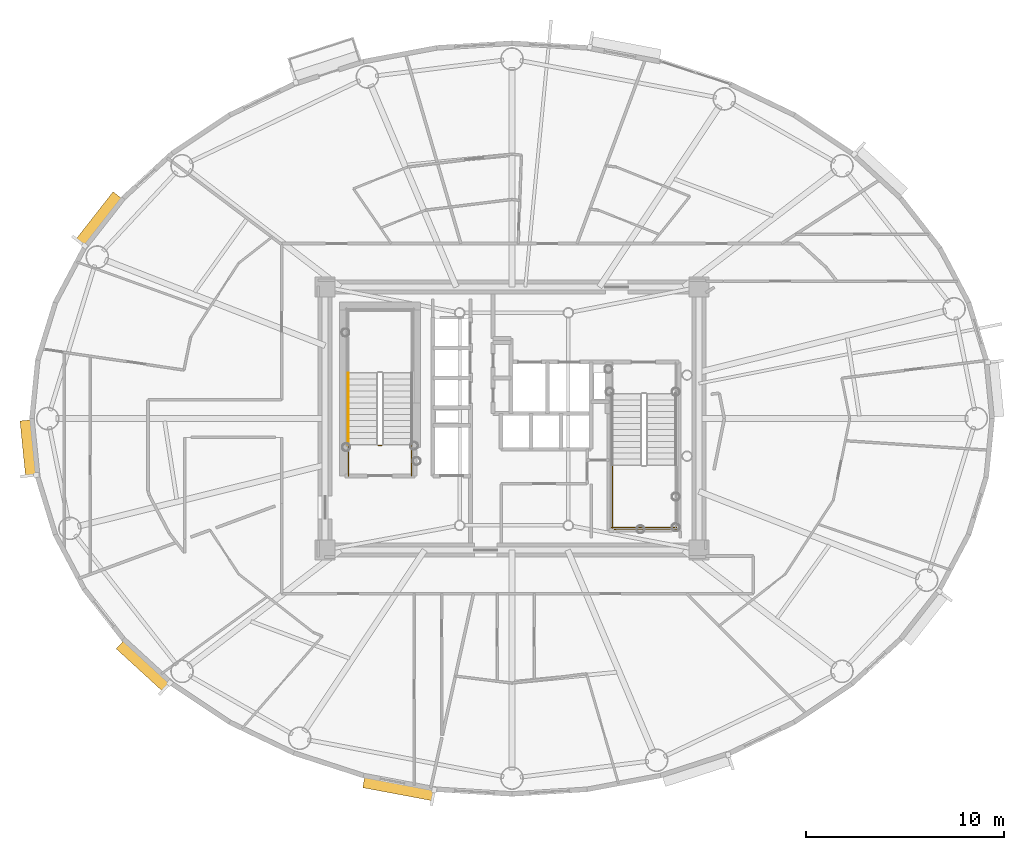
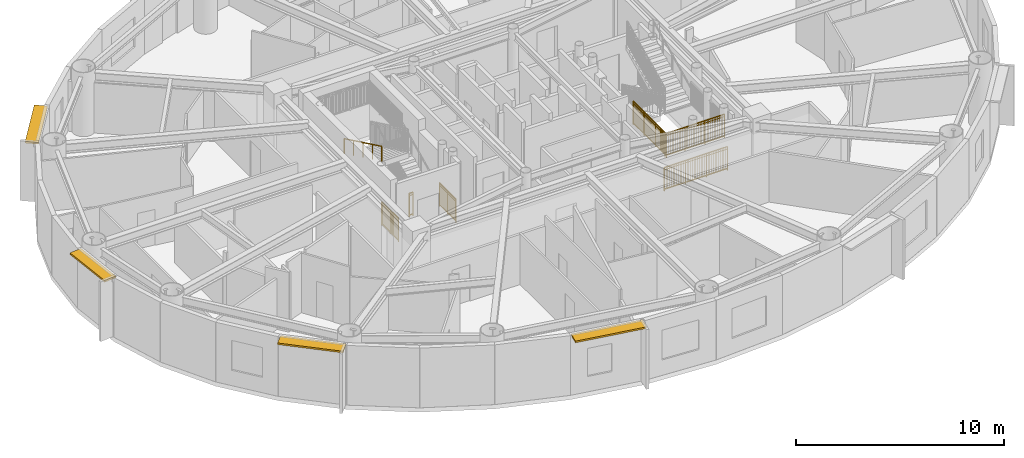
# One storey, part 13 of 19: 7 railings, 4 shading devices.
"""IFC4 building model written with IfcOpenShell, lengths in metres."""

from ifc_helpers import new_model, si_unit, direction, frame, origin, origin_2d, place, context, subcontext, project, spatial, rectangle, extrude, source, transform, mapped, material, layer, layer_set, type_object, element, save


model = new_model("IFC4")

# Units and contexts
model_context = context("Model", 3, precision=1e-05, world=origin(), true_north=direction((0.0, 1.0)))
body_context = subcontext(model_context, "Body", "Model", "MODEL_VIEW")
ifc_project = project(units=[si_unit("LENGTHUNIT", "METRE"), si_unit("AREAUNIT", "SQUARE_METRE"), si_unit("VOLUMEUNIT", "CUBIC_METRE"), si_unit("PLANEANGLEUNIT", "RADIAN"), si_unit("MASSUNIT", "GRAM", prefix="KILO")], contexts=[model_context])

# Site, building, storey
site_placement = place(None, origin())
site = spatial("IfcSite", under=ifc_project, at=site_placement, CompositionType="ELEMENT")
building_placement = place(site_placement, origin())
building = spatial("IfcBuilding", under=site, at=building_placement, Name="Linh Dai School and Residence Tower", CompositionType="ELEMENT")
storey_placement = place(building_placement, frame((0.0, 0.0, 217.800048828125)))
storey = spatial("IfcBuildingStorey", under=building, at=storey_placement, Name="L53", CompositionType="ELEMENT", Elevation=217.800048828125)

# Shading devices
ifc_material_1 = material(Name="Terracotta Ceramic Sunshade", Category="masonry")
ifc_layer = layer(ifc_material_1, 0.10009765625)
ifc_layer_set = layer_set([ifc_layer], Name="Terracotta Ceramic Sunshade")
shading_device_type = type_object("IfcShadingDeviceType", Name="SHD-TC-650", PredefinedType="USERDEFINED", material=ifc_layer_set)
shared_shape_1 = source(origin(), body_context, "Body", "SweptSolid", [
    extrude(rectangle(XDim=2.859619140625, YDim=0.64990234375, at=origin_2d()), origin(), (0.0, 0.0, 1.0), 0.10009765625),
])
shading_device_1_placement = place(storey_placement, frame((11.59033203125, 25.489501953125, 3.3798828125), z_axis=(0.0, 0.0, 1.0), x_axis=(-0.100012244219, 0.99498620644, 0.0)))
element("IfcShadingDevice", 1, at=shading_device_1_placement, inside=storey, type_object=shading_device_type, Name="L53 Terracotta Horizontal Sunshade Band 21", ObjectType="SUNSHADE", PredefinedType="USERDEFINED", context=body_context, shape_type="MappedRepresentation", body=[
    mapped(shared_shape_1, transform((0.0, 0.0, 0.0), x_axis=(1.0, 0.0, 0.0), y_axis=(0.0, 1.0, 0.0), z_axis=(0.0, 0.0, 1.0), scale=1.0)),
])
shared_shape_2 = source(origin(), body_context, "Body", "SweptSolid", [
    extrude(rectangle(XDim=3.219482421875, YDim=0.64990234375, at=origin_2d()), origin(), (0.0, 0.0, 1.0), 0.10009765625),
])
shading_device_2_placement = place(storey_placement, frame((17.39501953125, 14.51220703125, 3.3798828125), z_axis=(0.0, 0.0, 1.0), x_axis=(-0.737125300096, 0.675756089102, 0.0)))
element("IfcShadingDevice", 2, at=shading_device_2_placement, inside=storey, type_object=shading_device_type, Name="L53 Terracotta Horizontal Sunshade Band 25", ObjectType="SUNSHADE", PredefinedType="USERDEFINED", context=body_context, shape_type="MappedRepresentation", body=[
    mapped(shared_shape_2, transform((0.0, 0.0, 0.0), x_axis=(1.0, 0.0, 0.0), y_axis=(0.0, 1.0, 0.0), z_axis=(0.0, 0.0, 1.0), scale=1.0)),
])
shared_shape_3 = source(origin(), body_context, "Body", "SweptSolid", [
    extrude(rectangle(XDim=3.62158203125, YDim=0.64990234375, at=origin_2d()), origin(), (0.0, 0.0, 1.0), 0.10009765625),
])
shading_device_3_placement = place(storey_placement, frame((30.2919921875, 8.32275390625, 3.3798828125), z_axis=(0.0, 0.0, 1.0), x_axis=(-0.982786586765, 0.18474448537, 0.0)))
element("IfcShadingDevice", 3, at=shading_device_3_placement, inside=storey, type_object=shading_device_type, Name="L53 Terracotta Horizontal Sunshade Band 29", ObjectType="SUNSHADE", PredefinedType="USERDEFINED", context=body_context, shape_type="MappedRepresentation", body=[
    mapped(shared_shape_3, transform((0.0, 0.0, 0.0), x_axis=(1.0, 0.0, 0.0), y_axis=(0.0, 1.0, 0.0), z_axis=(0.0, 0.0, 1.0), scale=1.0)),
])
shared_shape_4 = source(origin(), body_context, "Body", "SweptSolid", [
    extrude(rectangle(XDim=3.095703125, YDim=0.64990234375, at=origin_2d()), origin(), (0.0, 0.0, 1.0), 0.10009765625),
])
shading_device_4_placement = place(storey_placement, frame((15.133544921875, 37.050537109375, 3.3798828125), z_axis=(0.0, 0.0, 1.0), x_axis=(0.616331674867, 0.787486677066, 0.0)))
element("IfcShadingDevice", 4, at=shading_device_4_placement, inside=storey, type_object=shading_device_type, Name="L53 Terracotta Horizontal Sunshade Band 17", ObjectType="SUNSHADE", PredefinedType="USERDEFINED", context=body_context, shape_type="MappedRepresentation", body=[
    mapped(shared_shape_4, transform((0.0, 0.0, 0.0), x_axis=(1.0, 0.0, 0.0), y_axis=(0.0, 1.0, 0.0), z_axis=(0.0, 0.0, 1.0), scale=1.0)),
])

# Railings
ifc_material_2 = material(Name="Structural Steel S355JR", Category="steel")
railing_type_1 = type_object("IfcRailingType", Name="RL-ST-GUARD-1400", PredefinedType="GUARDRAIL", material=ifc_material_2)
shared_shape_5 = source(origin(), body_context, "Body", "SweptSolid", [
    extrude(rectangle(XDim=0.048095703125, YDim=0.048095703125, at=origin_2d()), frame((0.0, 0.0, 1.3759765625), z_axis=(-1.0, 0.0, 0.0), x_axis=(0.0, -1.0, 0.0)), (0.0, 0.0, 1.0), 0.199951171875),
    extrude(rectangle(XDim=0.048095703125, YDim=0.048095703125, at=origin_2d()), frame((0.0, 0.0, 0.10009765625), z_axis=(-1.0, 0.0, 0.0), x_axis=(0.0, -1.0, 0.0)), (0.0, 0.0, 1.0), 0.199951171875),
    extrude(rectangle(XDim=0.030029296875, YDim=0.030029296875, at=origin_2d()), frame((0.0, 0.0, 1.239990234375), z_axis=(-1.0, 0.0, 0.0), x_axis=(0.0, -1.0, 0.0)), (0.0, 0.0, 1.0), 0.199951171875),
    extrude(rectangle(XDim=0.0419921875, YDim=0.0419921875, at=origin_2d()), origin(), (0.0, 0.0, 1.0), 1.3759765625),
    extrude(rectangle(XDim=0.0419921875, YDim=0.0419921875, at=origin_2d()), frame((-0.199951171875, 0.0, 0.0)), (0.0, 0.0, 1.0), 1.3759765625),
])
railing_1_placement = place(storey_placement, frame((29.429931640625, 25.64990234375, 0.0)))
element("IfcRailing", 5, at=railing_1_placement, inside=storey, type_object=railing_type_1, Name="L53 ST1 stair guard 7", PredefinedType="GUARDRAIL", context=body_context, shape_type="MappedRepresentation", body=[
    mapped(shared_shape_5, transform((0.0, 0.0, 0.0), x_axis=(1.0, 0.0, 0.0), y_axis=(0.0, 1.0, 0.0), z_axis=(0.0, 0.0, 1.0), scale=1.0)),
])
shared_shape_6 = source(origin(), body_context, "Body", "SweptSolid", [
    extrude(rectangle(XDim=0.048095703125, YDim=0.048095703125, at=origin_2d()), frame((0.0, 0.0, 1.3759765625), z_axis=(0.0, 1.0, 0.0), x_axis=(-1.0, 0.0, 0.0)), (0.0, 0.0, 1.0), 1.599853515625),
    extrude(rectangle(XDim=0.048095703125, YDim=0.048095703125, at=origin_2d()), frame((0.0, 0.0, 0.10009765625), z_axis=(0.0, 1.0, 0.0), x_axis=(-1.0, 0.0, 0.0)), (0.0, 0.0, 1.0), 1.599853515625),
    extrude(rectangle(XDim=0.030029296875, YDim=0.030029296875, at=origin_2d()), frame((0.0, 0.0, 1.239990234375), z_axis=(0.0, 1.0, 0.0), x_axis=(-1.0, 0.0, 0.0)), (0.0, 0.0, 1.0), 1.599853515625),
    extrude(rectangle(XDim=0.02001953125, YDim=0.02001953125, at=origin_2d()), frame((0.0, 0.093994140625, 0.10009765625)), (0.0, 0.0, 1.0), 1.251708984375),
    extrude(rectangle(XDim=0.02001953125, YDim=0.02001953125, at=origin_2d()), frame((0.0, 0.188232421875, 0.10009765625)), (0.0, 0.0, 1.0), 1.251708984375),
    extrude(rectangle(XDim=0.02001953125, YDim=0.02001953125, at=origin_2d()), frame((0.0, 0.2822265625, 0.10009765625)), (0.0, 0.0, 1.0), 1.251708984375),
    extrude(rectangle(XDim=0.02001953125, YDim=0.02001953125, at=origin_2d()), frame((0.0, 0.37646484375, 0.10009765625)), (0.0, 0.0, 1.0), 1.251708984375),
    extrude(rectangle(XDim=0.02001953125, YDim=0.02001953125, at=origin_2d()), frame((0.0, 0.470458984375, 0.10009765625)), (0.0, 0.0, 1.0), 1.251708984375),
    extrude(rectangle(XDim=0.02001953125, YDim=0.02001953125, at=origin_2d()), frame((0.0, 0.564697265625, 0.10009765625)), (0.0, 0.0, 1.0), 1.251708984375),
    extrude(rectangle(XDim=0.02001953125, YDim=0.02001953125, at=origin_2d()), frame((0.0, 0.65869140625, 0.10009765625)), (0.0, 0.0, 1.0), 1.251708984375),
    extrude(rectangle(XDim=0.02001953125, YDim=0.02001953125, at=origin_2d()), frame((0.0, 0.7529296875, 0.10009765625)), (0.0, 0.0, 1.0), 1.251708984375),
    extrude(rectangle(XDim=0.02001953125, YDim=0.02001953125, at=origin_2d()), frame((0.0, 0.846923828125, 0.10009765625)), (0.0, 0.0, 1.0), 1.251708984375),
    extrude(rectangle(XDim=0.02001953125, YDim=0.02001953125, at=origin_2d()), frame((0.0, 0.941162109375, 0.10009765625)), (0.0, 0.0, 1.0), 1.251708984375),
    extrude(rectangle(XDim=0.02001953125, YDim=0.02001953125, at=origin_2d()), frame((0.0, 1.03515625, 0.10009765625)), (0.0, 0.0, 1.0), 1.251708984375),
    extrude(rectangle(XDim=0.02001953125, YDim=0.02001953125, at=origin_2d()), frame((0.0, 1.12939453125, 0.10009765625)), (0.0, 0.0, 1.0), 1.251708984375),
    extrude(rectangle(XDim=0.02001953125, YDim=0.02001953125, at=origin_2d()), frame((0.0, 1.223388671875, 0.10009765625)), (0.0, 0.0, 1.0), 1.251708984375),
    extrude(rectangle(XDim=0.02001953125, YDim=0.02001953125, at=origin_2d()), frame((0.0, 1.317626953125, 0.10009765625)), (0.0, 0.0, 1.0), 1.251708984375),
    extrude(rectangle(XDim=0.02001953125, YDim=0.02001953125, at=origin_2d()), frame((0.0, 1.41162109375, 0.10009765625)), (0.0, 0.0, 1.0), 1.251708984375),
    extrude(rectangle(XDim=0.02001953125, YDim=0.02001953125, at=origin_2d()), frame((0.0, 1.505859375, 0.10009765625)), (0.0, 0.0, 1.0), 1.251708984375),
    extrude(rectangle(XDim=0.0419921875, YDim=0.0419921875, at=origin_2d()), origin(), (0.0, 0.0, 1.0), 1.3759765625),
    extrude(rectangle(XDim=0.0419921875, YDim=0.0419921875, at=origin_2d()), frame((0.0, 0.7998046875, 0.0)), (0.0, 0.0, 1.0), 1.3759765625),
    extrude(rectangle(XDim=0.0419921875, YDim=0.0419921875, at=origin_2d()), frame((0.0, 1.599853515625, 0.0)), (0.0, 0.0, 1.0), 1.3759765625),
])
for number, where, name in (
    (6, (30.929931640625, 24.10009765625, 0.0), "L53 ST1 stair guard 8"),
    (7, (27.72998046875, 24.10009765625, 0.0), "L53 ST1 stair guard 9"),
):
    element("IfcRailing", number, at=place(storey_placement, frame(where)), inside=storey, type_object=railing_type_1, Name=name, PredefinedType="GUARDRAIL", context=body_context, shape_type="MappedRepresentation", body=[
        mapped(shared_shape_6, transform((0.0, 0.0, 0.0), x_axis=(1.0, 0.0, 0.0), y_axis=(0.0, 1.0, 0.0), z_axis=(0.0, 0.0, 1.0), scale=1.0)),
    ])
ifc_material_3 = material(Name="Brushed Stainless Steel Handrail", Category="steel")
railing_type_2 = type_object("IfcRailingType", Name="RL-ST-HANDRAIL-900", PredefinedType="HANDRAIL", material=ifc_material_3)
shared_shape_7 = source(origin(), body_context, "Body", "SweptSolid", [
    extrude(rectangle(XDim=0.048095703125, YDim=0.048095703125, at=origin_2d()), frame((0.0, 0.0, 0.8759765625), z_axis=(0.0, -0.901262522062, 0.433273431364), x_axis=(1.0, 0.0, 0.0)), (0.0, 0.0, 1.0), 3.994384765625),
    extrude(rectangle(XDim=0.0419921875, YDim=0.0419921875, at=origin_2d()), origin(), (0.0, 0.0, 1.0), 0.8759765625),
    extrude(rectangle(XDim=0.0419921875, YDim=0.0419921875, at=origin_2d()), frame((0.0, -0.89990234375, 0.4326171875)), (0.0, 0.0, 1.0), 0.8759765625),
    extrude(rectangle(XDim=0.0419921875, YDim=0.0419921875, at=origin_2d()), frame((0.0, -1.800048828125, 0.865234375)), (0.0, 0.0, 1.0), 0.8759765625),
    extrude(rectangle(XDim=0.0419921875, YDim=0.0419921875, at=origin_2d()), frame((0.0, -2.7001953125, 1.298095703125)), (0.0, 0.0, 1.0), 0.8759765625),
    extrude(rectangle(XDim=0.0419921875, YDim=0.0419921875, at=origin_2d()), frame((0.0, -3.60009765625, 1.730712890625)), (0.0, 0.0, 1.0), 0.8759765625),
])
railing_2_placement = place(storey_placement, frame((27.72998046875, 29.300048828125, 2.019287109375)))
element("IfcRailing", 8, at=railing_2_placement, inside=storey, type_object=railing_type_2, Name="L53 ST1 stair handrail 2", PredefinedType="HANDRAIL", context=body_context, shape_type="MappedRepresentation", body=[
    mapped(shared_shape_7, transform((0.0, 0.0, 0.0), x_axis=(1.0, 0.0, 0.0), y_axis=(0.0, 1.0, 0.0), z_axis=(0.0, 0.0, 1.0), scale=1.0)),
])
shared_shape_8 = source(origin(), body_context, "Body", "SweptSolid", [
    extrude(rectangle(XDim=0.048095703125, YDim=0.048095703125, at=origin_2d()), frame((0.0, 0.0, 1.3759765625), z_axis=(1.0, 0.0, 0.0), x_axis=(0.0, 1.0, 0.0)), (0.0, 0.0, 1.0), 3.300048828125),
    extrude(rectangle(XDim=0.048095703125, YDim=0.048095703125, at=origin_2d()), frame((0.0, 0.0, 0.10009765625), z_axis=(1.0, 0.0, 0.0), x_axis=(0.0, 1.0, 0.0)), (0.0, 0.0, 1.0), 3.300048828125),
    extrude(rectangle(XDim=0.030029296875, YDim=0.030029296875, at=origin_2d()), frame((0.0, 0.0, 1.239990234375), z_axis=(1.0, 0.0, 0.0), x_axis=(0.0, 1.0, 0.0)), (0.0, 0.0, 1.0), 3.300048828125),
    extrude(rectangle(XDim=0.02001953125, YDim=0.02001953125, at=origin_2d()), frame((0.09716796875, 0.0, 0.10009765625)), (0.0, 0.0, 1.0), 1.251708984375),
    extrude(rectangle(XDim=0.02001953125, YDim=0.02001953125, at=origin_2d()), frame((0.194091796875, 0.0, 0.10009765625)), (0.0, 0.0, 1.0), 1.251708984375),
    extrude(rectangle(XDim=0.02001953125, YDim=0.02001953125, at=origin_2d()), frame((0.291259765625, 0.0, 0.10009765625)), (0.0, 0.0, 1.0), 1.251708984375),
    extrude(rectangle(XDim=0.02001953125, YDim=0.02001953125, at=origin_2d()), frame((0.38818359375, 0.0, 0.10009765625)), (0.0, 0.0, 1.0), 1.251708984375),
    extrude(rectangle(XDim=0.02001953125, YDim=0.02001953125, at=origin_2d()), frame((0.4853515625, 0.0, 0.10009765625)), (0.0, 0.0, 1.0), 1.251708984375),
    extrude(rectangle(XDim=0.02001953125, YDim=0.02001953125, at=origin_2d()), frame((0.582275390625, 0.0, 0.10009765625)), (0.0, 0.0, 1.0), 1.251708984375),
    extrude(rectangle(XDim=0.02001953125, YDim=0.02001953125, at=origin_2d()), frame((0.679443359375, 0.0, 0.10009765625)), (0.0, 0.0, 1.0), 1.251708984375),
    extrude(rectangle(XDim=0.02001953125, YDim=0.02001953125, at=origin_2d()), frame((0.7763671875, 0.0, 0.10009765625)), (0.0, 0.0, 1.0), 1.251708984375),
    extrude(rectangle(XDim=0.02001953125, YDim=0.02001953125, at=origin_2d()), frame((0.87353515625, 0.0, 0.10009765625)), (0.0, 0.0, 1.0), 1.251708984375),
    extrude(rectangle(XDim=0.02001953125, YDim=0.02001953125, at=origin_2d()), frame((0.970703125, 0.0, 0.10009765625)), (0.0, 0.0, 1.0), 1.251708984375),
    extrude(rectangle(XDim=0.02001953125, YDim=0.02001953125, at=origin_2d()), frame((1.164794921875, 0.0, 0.10009765625)), (0.0, 0.0, 1.0), 1.251708984375),
    extrude(rectangle(XDim=0.02001953125, YDim=0.02001953125, at=origin_2d()), frame((1.26171875, 0.0, 0.10009765625)), (0.0, 0.0, 1.0), 1.251708984375),
    extrude(rectangle(XDim=0.02001953125, YDim=0.02001953125, at=origin_2d()), frame((1.35888671875, 0.0, 0.10009765625)), (0.0, 0.0, 1.0), 1.251708984375),
    extrude(rectangle(XDim=0.02001953125, YDim=0.02001953125, at=origin_2d()), frame((1.455810546875, 0.0, 0.10009765625)), (0.0, 0.0, 1.0), 1.251708984375),
    extrude(rectangle(XDim=0.02001953125, YDim=0.02001953125, at=origin_2d()), frame((1.552978515625, 0.0, 0.10009765625)), (0.0, 0.0, 1.0), 1.251708984375),
    extrude(rectangle(XDim=0.02001953125, YDim=0.02001953125, at=origin_2d()), frame((1.64990234375, 0.0, 0.10009765625)), (0.0, 0.0, 1.0), 1.251708984375),
    extrude(rectangle(XDim=0.02001953125, YDim=0.02001953125, at=origin_2d()), frame((1.7470703125, 0.0, 0.10009765625)), (0.0, 0.0, 1.0), 1.251708984375),
    extrude(rectangle(XDim=0.02001953125, YDim=0.02001953125, at=origin_2d()), frame((1.84423828125, 0.0, 0.10009765625)), (0.0, 0.0, 1.0), 1.251708984375),
    extrude(rectangle(XDim=0.02001953125, YDim=0.02001953125, at=origin_2d()), frame((1.941162109375, 0.0, 0.10009765625)), (0.0, 0.0, 1.0), 1.251708984375),
    extrude(rectangle(XDim=0.02001953125, YDim=0.02001953125, at=origin_2d()), frame((2.038330078125, 0.0, 0.10009765625)), (0.0, 0.0, 1.0), 1.251708984375),
    extrude(rectangle(XDim=0.02001953125, YDim=0.02001953125, at=origin_2d()), frame((2.13525390625, 0.0, 0.10009765625)), (0.0, 0.0, 1.0), 1.251708984375),
    extrude(rectangle(XDim=0.02001953125, YDim=0.02001953125, at=origin_2d()), frame((2.329345703125, 0.0, 0.10009765625)), (0.0, 0.0, 1.0), 1.251708984375),
    extrude(rectangle(XDim=0.02001953125, YDim=0.02001953125, at=origin_2d()), frame((2.426513671875, 0.0, 0.10009765625)), (0.0, 0.0, 1.0), 1.251708984375),
    extrude(rectangle(XDim=0.02001953125, YDim=0.02001953125, at=origin_2d()), frame((2.523681640625, 0.0, 0.10009765625)), (0.0, 0.0, 1.0), 1.251708984375),
    extrude(rectangle(XDim=0.02001953125, YDim=0.02001953125, at=origin_2d()), frame((2.62060546875, 0.0, 0.10009765625)), (0.0, 0.0, 1.0), 1.251708984375),
    extrude(rectangle(XDim=0.02001953125, YDim=0.02001953125, at=origin_2d()), frame((2.7177734375, 0.0, 0.10009765625)), (0.0, 0.0, 1.0), 1.251708984375),
    extrude(rectangle(XDim=0.02001953125, YDim=0.02001953125, at=origin_2d()), frame((2.814697265625, 0.0, 0.10009765625)), (0.0, 0.0, 1.0), 1.251708984375),
    extrude(rectangle(XDim=0.02001953125, YDim=0.02001953125, at=origin_2d()), frame((2.911865234375, 0.0, 0.10009765625)), (0.0, 0.0, 1.0), 1.251708984375),
    extrude(rectangle(XDim=0.02001953125, YDim=0.02001953125, at=origin_2d()), frame((3.0087890625, 0.0, 0.10009765625)), (0.0, 0.0, 1.0), 1.251708984375),
    extrude(rectangle(XDim=0.02001953125, YDim=0.02001953125, at=origin_2d()), frame((3.10595703125, 0.0, 0.10009765625)), (0.0, 0.0, 1.0), 1.251708984375),
    extrude(rectangle(XDim=0.02001953125, YDim=0.02001953125, at=origin_2d()), frame((3.202880859375, 0.0, 0.10009765625)), (0.0, 0.0, 1.0), 1.251708984375),
    extrude(rectangle(XDim=0.0419921875, YDim=0.0419921875, at=origin_2d()), origin(), (0.0, 0.0, 1.0), 1.3759765625),
    extrude(rectangle(XDim=0.0419921875, YDim=0.0419921875, at=origin_2d()), frame((1.10009765625, 0.0, 0.0)), (0.0, 0.0, 1.0), 1.3759765625),
    extrude(rectangle(XDim=0.0419921875, YDim=0.0419921875, at=origin_2d()), frame((2.199951171875, 0.0, 0.0)), (0.0, 0.0, 1.0), 1.3759765625),
    extrude(rectangle(XDim=0.0419921875, YDim=0.0419921875, at=origin_2d()), frame((3.300048828125, 0.0, 0.0)), (0.0, 0.0, 1.0), 1.3759765625),
])
railing_3_placement = place(storey_placement, frame((41.02001953125, 21.5, 1.875)))
element("IfcRailing", 9, at=railing_3_placement, inside=storey, type_object=railing_type_1, Name="L53 ST2 stair guard 5", PredefinedType="GUARDRAIL", context=body_context, shape_type="MappedRepresentation", body=[
    mapped(shared_shape_8, transform((0.0, 0.0, 0.0), x_axis=(1.0, 0.0, 0.0), y_axis=(0.0, 1.0, 0.0), z_axis=(0.0, 0.0, 1.0), scale=1.0)),
])
shared_shape_9 = source(origin(), body_context, "Body", "SweptSolid", [
    extrude(rectangle(XDim=0.048095703125, YDim=0.048095703125, at=origin_2d()), frame((0.0, 0.0, 1.3759765625), z_axis=(1.0, 0.0, 0.0), x_axis=(0.0, 1.0, 0.0)), (0.0, 0.0, 1.0), 3.5),
    extrude(rectangle(XDim=0.048095703125, YDim=0.048095703125, at=origin_2d()), frame((0.0, 0.0, 0.10009765625), z_axis=(1.0, 0.0, 0.0), x_axis=(0.0, 1.0, 0.0)), (0.0, 0.0, 1.0), 3.5),
    extrude(rectangle(XDim=0.030029296875, YDim=0.030029296875, at=origin_2d()), frame((0.0, 0.0, 1.239990234375), z_axis=(1.0, 0.0, 0.0), x_axis=(0.0, 1.0, 0.0)), (0.0, 0.0, 1.0), 3.5),
    extrude(rectangle(XDim=0.02001953125, YDim=0.02001953125, at=origin_2d()), frame((0.09716796875, 0.0, 0.10009765625)), (0.0, 0.0, 1.0), 1.251708984375),
    extrude(rectangle(XDim=0.02001953125, YDim=0.02001953125, at=origin_2d()), frame((0.1943359375, 0.0, 0.10009765625)), (0.0, 0.0, 1.0), 1.251708984375),
    extrude(rectangle(XDim=0.02001953125, YDim=0.02001953125, at=origin_2d()), frame((0.291748046875, 0.0, 0.10009765625)), (0.0, 0.0, 1.0), 1.251708984375),
    extrude(rectangle(XDim=0.02001953125, YDim=0.02001953125, at=origin_2d()), frame((0.388916015625, 0.0, 0.10009765625)), (0.0, 0.0, 1.0), 1.251708984375),
    extrude(rectangle(XDim=0.02001953125, YDim=0.02001953125, at=origin_2d()), frame((0.486083984375, 0.0, 0.10009765625)), (0.0, 0.0, 1.0), 1.251708984375),
    extrude(rectangle(XDim=0.02001953125, YDim=0.02001953125, at=origin_2d()), frame((0.583251953125, 0.0, 0.10009765625)), (0.0, 0.0, 1.0), 1.251708984375),
    extrude(rectangle(XDim=0.02001953125, YDim=0.02001953125, at=origin_2d()), frame((0.6806640625, 0.0, 0.10009765625)), (0.0, 0.0, 1.0), 1.251708984375),
    extrude(rectangle(XDim=0.02001953125, YDim=0.02001953125, at=origin_2d()), frame((0.77783203125, 0.0, 0.10009765625)), (0.0, 0.0, 1.0), 1.251708984375),
    extrude(rectangle(XDim=0.02001953125, YDim=0.02001953125, at=origin_2d()), frame((0.875, 0.0, 0.10009765625)), (0.0, 0.0, 1.0), 1.251708984375),
    extrude(rectangle(XDim=0.02001953125, YDim=0.02001953125, at=origin_2d()), frame((0.97216796875, 0.0, 0.10009765625)), (0.0, 0.0, 1.0), 1.251708984375),
    extrude(rectangle(XDim=0.02001953125, YDim=0.02001953125, at=origin_2d()), frame((1.0693359375, 0.0, 0.10009765625)), (0.0, 0.0, 1.0), 1.251708984375),
    extrude(rectangle(XDim=0.02001953125, YDim=0.02001953125, at=origin_2d()), frame((1.263916015625, 0.0, 0.10009765625)), (0.0, 0.0, 1.0), 1.251708984375),
    extrude(rectangle(XDim=0.02001953125, YDim=0.02001953125, at=origin_2d()), frame((1.361083984375, 0.0, 0.10009765625)), (0.0, 0.0, 1.0), 1.251708984375),
    extrude(rectangle(XDim=0.02001953125, YDim=0.02001953125, at=origin_2d()), frame((1.458251953125, 0.0, 0.10009765625)), (0.0, 0.0, 1.0), 1.251708984375),
    extrude(rectangle(XDim=0.02001953125, YDim=0.02001953125, at=origin_2d()), frame((1.5556640625, 0.0, 0.10009765625)), (0.0, 0.0, 1.0), 1.251708984375),
    extrude(rectangle(XDim=0.02001953125, YDim=0.02001953125, at=origin_2d()), frame((1.65283203125, 0.0, 0.10009765625)), (0.0, 0.0, 1.0), 1.251708984375),
    extrude(rectangle(XDim=0.02001953125, YDim=0.02001953125, at=origin_2d()), frame((1.75, 0.0, 0.10009765625)), (0.0, 0.0, 1.0), 1.251708984375),
    extrude(rectangle(XDim=0.02001953125, YDim=0.02001953125, at=origin_2d()), frame((1.84716796875, 0.0, 0.10009765625)), (0.0, 0.0, 1.0), 1.251708984375),
    extrude(rectangle(XDim=0.02001953125, YDim=0.02001953125, at=origin_2d()), frame((1.9443359375, 0.0, 0.10009765625)), (0.0, 0.0, 1.0), 1.251708984375),
    extrude(rectangle(XDim=0.02001953125, YDim=0.02001953125, at=origin_2d()), frame((2.041748046875, 0.0, 0.10009765625)), (0.0, 0.0, 1.0), 1.251708984375),
    extrude(rectangle(XDim=0.02001953125, YDim=0.02001953125, at=origin_2d()), frame((2.138916015625, 0.0, 0.10009765625)), (0.0, 0.0, 1.0), 1.251708984375),
    extrude(rectangle(XDim=0.02001953125, YDim=0.02001953125, at=origin_2d()), frame((2.236083984375, 0.0, 0.10009765625)), (0.0, 0.0, 1.0), 1.251708984375),
    extrude(rectangle(XDim=0.02001953125, YDim=0.02001953125, at=origin_2d()), frame((2.4306640625, 0.0, 0.10009765625)), (0.0, 0.0, 1.0), 1.251708984375),
    extrude(rectangle(XDim=0.02001953125, YDim=0.02001953125, at=origin_2d()), frame((2.52783203125, 0.0, 0.10009765625)), (0.0, 0.0, 1.0), 1.251708984375),
    extrude(rectangle(XDim=0.02001953125, YDim=0.02001953125, at=origin_2d()), frame((2.625, 0.0, 0.10009765625)), (0.0, 0.0, 1.0), 1.251708984375),
    extrude(rectangle(XDim=0.02001953125, YDim=0.02001953125, at=origin_2d()), frame((2.72216796875, 0.0, 0.10009765625)), (0.0, 0.0, 1.0), 1.251708984375),
    extrude(rectangle(XDim=0.02001953125, YDim=0.02001953125, at=origin_2d()), frame((2.8193359375, 0.0, 0.10009765625)), (0.0, 0.0, 1.0), 1.251708984375),
    extrude(rectangle(XDim=0.02001953125, YDim=0.02001953125, at=origin_2d()), frame((2.916748046875, 0.0, 0.10009765625)), (0.0, 0.0, 1.0), 1.251708984375),
    extrude(rectangle(XDim=0.02001953125, YDim=0.02001953125, at=origin_2d()), frame((3.013916015625, 0.0, 0.10009765625)), (0.0, 0.0, 1.0), 1.251708984375),
    extrude(rectangle(XDim=0.02001953125, YDim=0.02001953125, at=origin_2d()), frame((3.111083984375, 0.0, 0.10009765625)), (0.0, 0.0, 1.0), 1.251708984375),
    extrude(rectangle(XDim=0.02001953125, YDim=0.02001953125, at=origin_2d()), frame((3.208251953125, 0.0, 0.10009765625)), (0.0, 0.0, 1.0), 1.251708984375),
    extrude(rectangle(XDim=0.02001953125, YDim=0.02001953125, at=origin_2d()), frame((3.3056640625, 0.0, 0.10009765625)), (0.0, 0.0, 1.0), 1.251708984375),
    extrude(rectangle(XDim=0.02001953125, YDim=0.02001953125, at=origin_2d()), frame((3.40283203125, 0.0, 0.10009765625)), (0.0, 0.0, 1.0), 1.251708984375),
    extrude(rectangle(XDim=0.0419921875, YDim=0.0419921875, at=origin_2d()), origin(), (0.0, 0.0, 1.0), 1.3759765625),
    extrude(rectangle(XDim=0.0419921875, YDim=0.0419921875, at=origin_2d()), frame((1.166748046875, 0.0, 0.0)), (0.0, 0.0, 1.0), 1.3759765625),
    extrude(rectangle(XDim=0.0419921875, YDim=0.0419921875, at=origin_2d()), frame((2.333251953125, 0.0, 0.0)), (0.0, 0.0, 1.0), 1.3759765625),
    extrude(rectangle(XDim=0.0419921875, YDim=0.0419921875, at=origin_2d()), frame((3.5, 0.0, 0.0)), (0.0, 0.0, 1.0), 1.3759765625),
])
railing_4_placement = place(storey_placement, frame((40.919921875, 21.39990234375, 0.0)))
element("IfcRailing", 10, at=railing_4_placement, inside=storey, type_object=railing_type_1, Name="L53 ST2 stair guard 12", PredefinedType="GUARDRAIL", context=body_context, shape_type="MappedRepresentation", body=[
    mapped(shared_shape_9, transform((0.0, 0.0, 0.0), x_axis=(1.0, 0.0, 0.0), y_axis=(0.0, 1.0, 0.0), z_axis=(0.0, 0.0, 1.0), scale=1.0)),
])
shared_shape_10 = source(origin(), body_context, "Body", "SweptSolid", [
    extrude(rectangle(XDim=0.048095703125, YDim=0.048095703125, at=origin_2d()), frame((0.0, 0.0, 1.3759765625), z_axis=(0.0, -1.0, 0.0), x_axis=(1.0, 0.0, 0.0)), (0.0, 0.0, 1.0), 3.199951171875),
    extrude(rectangle(XDim=0.048095703125, YDim=0.048095703125, at=origin_2d()), frame((0.0, 0.0, 0.10009765625), z_axis=(0.0, -1.0, 0.0), x_axis=(1.0, 0.0, 0.0)), (0.0, 0.0, 1.0), 3.199951171875),
    extrude(rectangle(XDim=0.030029296875, YDim=0.030029296875, at=origin_2d()), frame((0.0, 0.0, 1.239990234375), z_axis=(0.0, -1.0, 0.0), x_axis=(1.0, 0.0, 0.0)), (0.0, 0.0, 1.0), 3.199951171875),
    extrude(rectangle(XDim=0.02001953125, YDim=0.02001953125, at=origin_2d()), frame((0.0, -0.096923828125, 0.10009765625)), (0.0, 0.0, 1.0), 1.251708984375),
    extrude(rectangle(XDim=0.02001953125, YDim=0.02001953125, at=origin_2d()), frame((0.0, -0.19384765625, 0.10009765625)), (0.0, 0.0, 1.0), 1.251708984375),
    extrude(rectangle(XDim=0.02001953125, YDim=0.02001953125, at=origin_2d()), frame((0.0, -0.291015625, 0.10009765625)), (0.0, 0.0, 1.0), 1.251708984375),
    extrude(rectangle(XDim=0.02001953125, YDim=0.02001953125, at=origin_2d()), frame((0.0, -0.387939453125, 0.10009765625)), (0.0, 0.0, 1.0), 1.251708984375),
    extrude(rectangle(XDim=0.02001953125, YDim=0.02001953125, at=origin_2d()), frame((0.0, -0.48486328125, 0.10009765625)), (0.0, 0.0, 1.0), 1.251708984375),
    extrude(rectangle(XDim=0.02001953125, YDim=0.02001953125, at=origin_2d()), frame((0.0, -0.581787109375, 0.10009765625)), (0.0, 0.0, 1.0), 1.251708984375),
    extrude(rectangle(XDim=0.02001953125, YDim=0.02001953125, at=origin_2d()), frame((0.0, -0.6787109375, 0.10009765625)), (0.0, 0.0, 1.0), 1.251708984375),
    extrude(rectangle(XDim=0.02001953125, YDim=0.02001953125, at=origin_2d()), frame((0.0, -0.775634765625, 0.10009765625)), (0.0, 0.0, 1.0), 1.251708984375),
    extrude(rectangle(XDim=0.02001953125, YDim=0.02001953125, at=origin_2d()), frame((0.0, -0.872802734375, 0.10009765625)), (0.0, 0.0, 1.0), 1.251708984375),
    extrude(rectangle(XDim=0.02001953125, YDim=0.02001953125, at=origin_2d()), frame((0.0, -0.9697265625, 0.10009765625)), (0.0, 0.0, 1.0), 1.251708984375),
    extrude(rectangle(XDim=0.02001953125, YDim=0.02001953125, at=origin_2d()), frame((0.0, -1.16357421875, 0.10009765625)), (0.0, 0.0, 1.0), 1.251708984375),
    extrude(rectangle(XDim=0.02001953125, YDim=0.02001953125, at=origin_2d()), frame((0.0, -1.260498046875, 0.10009765625)), (0.0, 0.0, 1.0), 1.251708984375),
    extrude(rectangle(XDim=0.02001953125, YDim=0.02001953125, at=origin_2d()), frame((0.0, -1.357666015625, 0.10009765625)), (0.0, 0.0, 1.0), 1.251708984375),
    extrude(rectangle(XDim=0.02001953125, YDim=0.02001953125, at=origin_2d()), frame((0.0, -1.45458984375, 0.10009765625)), (0.0, 0.0, 1.0), 1.251708984375),
    extrude(rectangle(XDim=0.02001953125, YDim=0.02001953125, at=origin_2d()), frame((0.0, -1.551513671875, 0.10009765625)), (0.0, 0.0, 1.0), 1.251708984375),
    extrude(rectangle(XDim=0.02001953125, YDim=0.02001953125, at=origin_2d()), frame((0.0, -1.6484375, 0.10009765625)), (0.0, 0.0, 1.0), 1.251708984375),
    extrude(rectangle(XDim=0.02001953125, YDim=0.02001953125, at=origin_2d()), frame((0.0, -1.745361328125, 0.10009765625)), (0.0, 0.0, 1.0), 1.251708984375),
    extrude(rectangle(XDim=0.02001953125, YDim=0.02001953125, at=origin_2d()), frame((0.0, -1.84228515625, 0.10009765625)), (0.0, 0.0, 1.0), 1.251708984375),
    extrude(rectangle(XDim=0.02001953125, YDim=0.02001953125, at=origin_2d()), frame((0.0, -1.939453125, 0.10009765625)), (0.0, 0.0, 1.0), 1.251708984375),
    extrude(rectangle(XDim=0.02001953125, YDim=0.02001953125, at=origin_2d()), frame((0.0, -2.036376953125, 0.10009765625)), (0.0, 0.0, 1.0), 1.251708984375),
    extrude(rectangle(XDim=0.02001953125, YDim=0.02001953125, at=origin_2d()), frame((0.0, -2.230224609375, 0.10009765625)), (0.0, 0.0, 1.0), 1.251708984375),
    extrude(rectangle(XDim=0.02001953125, YDim=0.02001953125, at=origin_2d()), frame((0.0, -2.3271484375, 0.10009765625)), (0.0, 0.0, 1.0), 1.251708984375),
    extrude(rectangle(XDim=0.02001953125, YDim=0.02001953125, at=origin_2d()), frame((0.0, -2.42431640625, 0.10009765625)), (0.0, 0.0, 1.0), 1.251708984375),
    extrude(rectangle(XDim=0.02001953125, YDim=0.02001953125, at=origin_2d()), frame((0.0, -2.521240234375, 0.10009765625)), (0.0, 0.0, 1.0), 1.251708984375),
    extrude(rectangle(XDim=0.02001953125, YDim=0.02001953125, at=origin_2d()), frame((0.0, -2.6181640625, 0.10009765625)), (0.0, 0.0, 1.0), 1.251708984375),
    extrude(rectangle(XDim=0.02001953125, YDim=0.02001953125, at=origin_2d()), frame((0.0, -2.715087890625, 0.10009765625)), (0.0, 0.0, 1.0), 1.251708984375),
    extrude(rectangle(XDim=0.02001953125, YDim=0.02001953125, at=origin_2d()), frame((0.0, -2.81201171875, 0.10009765625)), (0.0, 0.0, 1.0), 1.251708984375),
    extrude(rectangle(XDim=0.02001953125, YDim=0.02001953125, at=origin_2d()), frame((0.0, -2.908935546875, 0.10009765625)), (0.0, 0.0, 1.0), 1.251708984375),
    extrude(rectangle(XDim=0.02001953125, YDim=0.02001953125, at=origin_2d()), frame((0.0, -3.006103515625, 0.10009765625)), (0.0, 0.0, 1.0), 1.251708984375),
    extrude(rectangle(XDim=0.02001953125, YDim=0.02001953125, at=origin_2d()), frame((0.0, -3.10302734375, 0.10009765625)), (0.0, 0.0, 1.0), 1.251708984375),
    extrude(rectangle(XDim=0.0419921875, YDim=0.0419921875, at=origin_2d()), origin(), (0.0, 0.0, 1.0), 1.3759765625),
    extrude(rectangle(XDim=0.0419921875, YDim=0.0419921875, at=origin_2d()), frame((0.0, -1.066650390625, 0.0)), (0.0, 0.0, 1.0), 1.3759765625),
    extrude(rectangle(XDim=0.0419921875, YDim=0.0419921875, at=origin_2d()), frame((0.0, -2.13330078125, 0.0)), (0.0, 0.0, 1.0), 1.3759765625),
    extrude(rectangle(XDim=0.0419921875, YDim=0.0419921875, at=origin_2d()), frame((0.0, -3.199951171875, 0.0)), (0.0, 0.0, 1.0), 1.3759765625),
])
railing_5_placement = place(storey_placement, frame((41.070068359375, 24.64990234375, 1.875)))
element("IfcRailing", 11, at=railing_5_placement, inside=storey, type_object=railing_type_1, Name="L53 ST2 stair guard 3", PredefinedType="GUARDRAIL", context=body_context, shape_type="MappedRepresentation", body=[
    mapped(shared_shape_10, transform((0.0, 0.0, 0.0), x_axis=(1.0, 0.0, 0.0), y_axis=(0.0, 1.0, 0.0), z_axis=(0.0, 0.0, 1.0), scale=1.0)),
])

save(model, "model.ifc")
